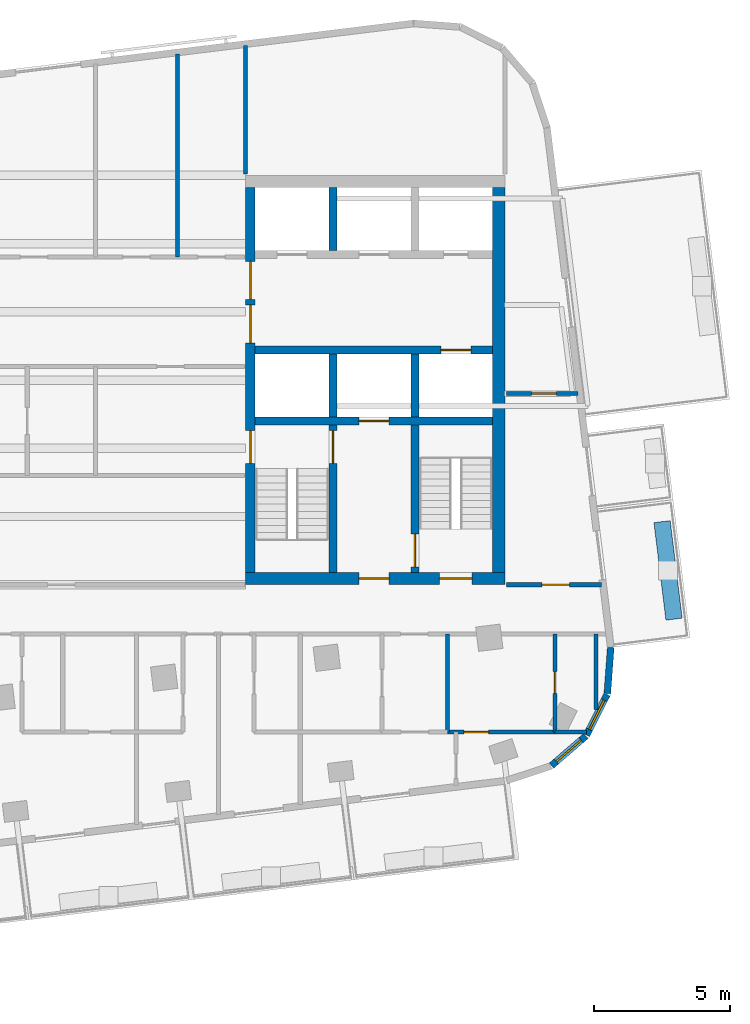
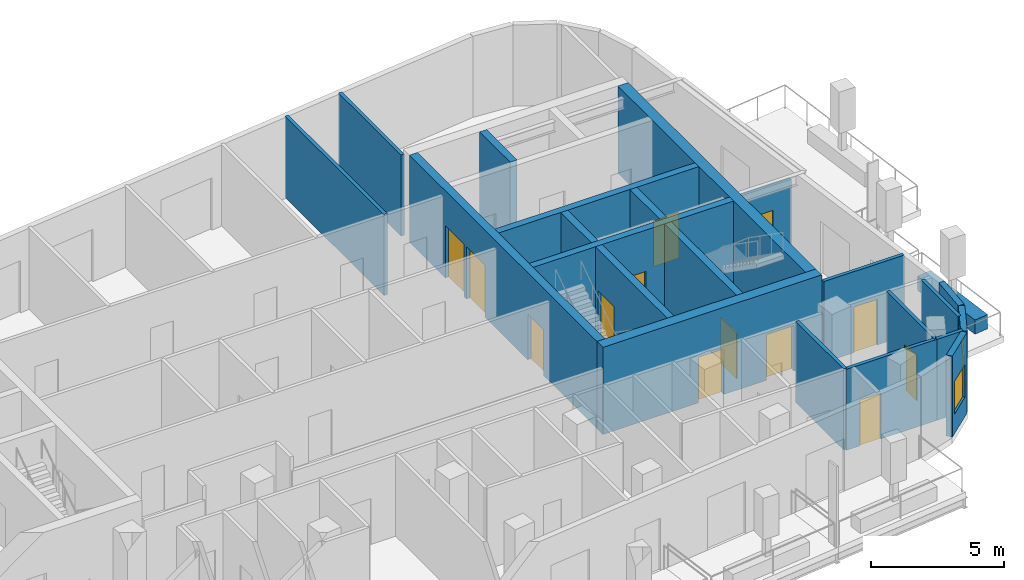
# One storey, part 6 of 11: 23 walls, 13 doors, 2 windows, 15 openings.
"""IFC4 building model written with IfcOpenShell, lengths in metres."""

from ifc_helpers import new_model, si_unit, direction, frame, frame_2d, origin, place, context, subcontext, project, spatial, rectangle, extrude, material, layer, layer_set, type_object, element, fill, save


model = new_model("IFC4")

# Units and contexts
model_context = context("Model", 3, precision=1e-05, world=origin(), true_north=direction((0.0, 1.0)))
body_context = subcontext(model_context, "Body", "Model", "MODEL_VIEW")
ifc_project = project(units=[si_unit("LENGTHUNIT", "METRE"), si_unit("AREAUNIT", "SQUARE_METRE"), si_unit("VOLUMEUNIT", "CUBIC_METRE"), si_unit("PLANEANGLEUNIT", "RADIAN"), si_unit("MASSUNIT", "GRAM", prefix="KILO")], contexts=[model_context])

# Site, building, storey
site_placement = place(None, origin())
site = spatial("IfcSite", under=ifc_project, at=site_placement, CompositionType="ELEMENT")
building_placement = place(site_placement, origin())
building = spatial("IfcBuilding", under=site, at=building_placement, Name="Torana Hotel and Residences", CompositionType="ELEMENT")
storey_placement = place(building_placement, frame((0.0, 0.0, 326.60009765625)))
storey = spatial("IfcBuildingStorey", under=building, at=storey_placement, Name="L86", CompositionType="ELEMENT", Elevation=326.60009765625)

# Wall, opening, door
ifc_material_1 = material(Name="Concrete C60/75", Category="concrete")
ifc_layer_1 = layer(ifc_material_1, 0.300048828125)
ifc_layer_set_1 = layer_set([ifc_layer_1], Name="CORE WALL 300 C60/75")
wall_type_1 = type_object("IfcWallType", Name="CORE WALL 300 C60/75", PredefinedType="SHEAR", material=ifc_layer_set_1)
wall_1_placement = place(storey_placement, frame((10.35009765625, -6.39990234375, 0.0), z_axis=(0.0, 0.0, 1.0), x_axis=(1.0, 0.0, 0.0)))
wall_1 = element("IfcWall", 1, at=wall_1_placement, inside=storey, type_object=wall_type_1, Name="Core wall E row-S", PredefinedType="SHEAR", context=body_context, shape_type="SweptSolid", body=[
    extrude(rectangle(XDim=8.699951171875, YDim=0.300048828125, at=frame_2d((4.35009765625, 0.0))), origin(), (0.0, 0.0, 1.0), 4.0),
])
opening_1_placement = place(wall_1_placement, frame((6.800048828125, 0.0, 0.0)))
opening_1 = element("IfcOpeningElement", 2, at=opening_1_placement, cuts=wall_1, Name="Opening LD", PredefinedType="OPENING", context=body_context, shape_type="SweptSolid", body=[
    extrude(rectangle(XDim=1.10009765625, YDim=2.10009765625, at=frame_2d((0.550048828125, 1.050048828125))), frame((0.0, 0.159912109375, 0.0), z_axis=(0.0, -1.0, 0.0), x_axis=(1.0, 0.0, 0.0)), (0.0, 0.0, 1.0), 0.320068359375),
])
ifc_material_2 = material(Name="Stainless steel 316", Category="steel")
door_type_1 = type_object("IfcDoorType", Name="LIFT LANDING DOOR LD 1100x2100", OperationType="DOUBLE_DOOR_SLIDING", PredefinedType="USERDEFINED", material=ifc_material_2)
door_1_placement = place(opening_1_placement, origin())
door_1 = element("IfcDoor", 3, at=door_1_placement, inside=storey, type_object=door_type_1, Name="Lift landing door SV2 L86", ObjectType="LIFT LANDING DOOR", OperationType="DOUBLE_DOOR_SLIDING", OverallHeight=2.10009765625, OverallWidth=1.10009765625, PredefinedType="USERDEFINED", context=body_context, shape_type="SweptSolid", body=[
    extrude(rectangle(XDim=1.10009765625, YDim=2.10009765625, at=frame_2d((0.550048828125, 1.050048828125))), frame((0.0, 0.02490234375, 0.0), z_axis=(0.0, -1.0, 0.0), x_axis=(1.0, 0.0, 0.0)), (0.0, 0.0, 1.0), 0.050048828125),
])
fill(opening_1, door_1)

wall_2_placement = place(storey_placement, frame((10.35009765625, -9.0, 0.0), z_axis=(0.0, 0.0, 1.0), x_axis=(1.0, 0.0, 0.0)))
wall_2 = element("IfcWall", 4, at=wall_2_placement, inside=storey, type_object=wall_type_1, Name="Core wall E band", PredefinedType="SHEAR", context=body_context, shape_type="SweptSolid", body=[
    extrude(rectangle(XDim=8.699951171875, YDim=0.300048828125, at=frame_2d((4.35009765625, 0.0))), origin(), (0.0, 0.0, 1.0), 4.0),
])
opening_2_placement = place(wall_2_placement, frame((3.800048828125, 0.0, 0.0)))
opening_2 = element("IfcOpeningElement", 5, at=opening_2_placement, cuts=wall_2, Name="Opening LD", PredefinedType="OPENING", context=body_context, shape_type="SweptSolid", body=[
    extrude(rectangle(XDim=1.10009765625, YDim=2.10009765625, at=frame_2d((0.550048828125, 1.050048828125))), frame((0.0, 0.159912109375, 0.0), z_axis=(0.0, -1.0, 0.0), x_axis=(1.0, 0.0, 0.0)), (0.0, 0.0, 1.0), 0.320068359375),
])
door_2_placement = place(opening_2_placement, origin())
door_2 = element("IfcDoor", 6, at=door_2_placement, inside=storey, type_object=door_type_1, Name="Lift landing door FF2 L86", ObjectType="LIFT LANDING DOOR", OperationType="DOUBLE_DOOR_SLIDING", OverallHeight=2.10009765625, OverallWidth=1.10009765625, PredefinedType="USERDEFINED", context=body_context, shape_type="SweptSolid", body=[
    extrude(rectangle(XDim=1.10009765625, YDim=2.10009765625, at=frame_2d((0.550048828125, 1.050048828125))), frame((0.0, 0.02490234375, 0.0), z_axis=(0.0, -1.0, 0.0), x_axis=(1.0, 0.0, 0.0)), (0.0, 0.0, 1.0), 0.050048828125),
])
fill(opening_2, door_2)

# Walls
for number, where, z_axis, x_axis, name in (
    (7, (13.199951171875, -2.75, 0.0), (0.0, 0.0, 1.0), (0.0, 1.0, 0.0), "Core wall E x3.05-N"),
    (8, (13.199951171875, -8.85009765625, 0.0), (0.0, 0.0, 1.0), (0.0, 1.0, 0.0), "Core wall E x3.05-S"),
):
    element("IfcWall", number, at=place(storey_placement, frame(where, z_axis=z_axis, x_axis=x_axis)), inside=storey, type_object=wall_type_1, Name=name, PredefinedType="SHEAR", context=body_context, shape_type="SweptSolid", body=[
        extrude(rectangle(XDim=2.300048828125, YDim=0.300048828125, at=frame_2d((1.14990234375, 0.0))), origin(), (0.0, 0.0, 1.0), 4.0),
    ])

# Wall, opening, door
wall_3_placement = place(storey_placement, frame((13.199951171875, -14.550048828125, 0.0), z_axis=(0.0, 0.0, 1.0), x_axis=(0.0, 1.0, 0.0)))
wall_3 = element("IfcWall", 9, at=wall_3_placement, inside=storey, type_object=wall_type_1, Name="Core wall E x3.05-band", PredefinedType="SHEAR", context=body_context, shape_type="SweptSolid", body=[
    extrude(rectangle(XDim=5.400146484375, YDim=0.300048828125, at=frame_2d((2.7001953125, 0.0))), origin(), (0.0, 0.0, 1.0), 4.0),
])
opening_3_placement = place(wall_3_placement, frame((4.0, 0.0, 0.0)))
opening_3 = element("IfcOpeningElement", 10, at=opening_3_placement, cuts=wall_3, Name="Opening L86-15", PredefinedType="OPENING", context=body_context, shape_type="SweptSolid", body=[
    extrude(rectangle(XDim=1.199951171875, YDim=2.10009765625, at=frame_2d((0.60009765625, 1.050048828125))), frame((0.0, 0.159912109375, 0.0), z_axis=(0.0, -1.0, 0.0), x_axis=(1.0, 0.0, 0.0)), (0.0, 0.0, 1.0), 0.320068359375),
])
ifc_material_3 = material(Name="Steel S235", Category="steel")
door_type_2 = type_object("IfcDoorType", Name="STAIR FIRE DOOR D3 1200x2100", OperationType="SINGLE_SWING_LEFT", PredefinedType="DOOR", material=ifc_material_3)
door_3_placement = place(opening_3_placement, origin())
door_3 = element("IfcDoor", 11, at=door_3_placement, inside=storey, type_object=door_type_2, Name="Stair-A-lobby door L86", OperationType="SINGLE_SWING_LEFT", OverallHeight=2.10009765625, OverallWidth=1.199951171875, PredefinedType="DOOR", context=body_context, shape_type="SweptSolid", body=[
    extrude(rectangle(XDim=1.199951171875, YDim=2.10009765625, at=frame_2d((0.60009765625, 1.050048828125))), frame((0.0, 0.02490234375, 0.0), z_axis=(0.0, -1.0, 0.0), x_axis=(1.0, 0.0, 0.0)), (0.0, 0.0, 1.0), 0.050048828125),
])
fill(opening_3, door_3)

# Wall
wall_4_placement = place(storey_placement, frame((16.199951171875, -8.85009765625, 0.0), z_axis=(0.0, 0.0, 1.0), x_axis=(0.0, 1.0, 0.0)))
element("IfcWall", 12, at=wall_4_placement, inside=storey, type_object=wall_type_1, Name="Core wall E x6.05-S", PredefinedType="SHEAR", context=body_context, shape_type="SweptSolid", body=[
    extrude(rectangle(XDim=2.300048828125, YDim=0.300048828125, at=frame_2d((1.14990234375, 0.0))), origin(), (0.0, 0.0, 1.0), 4.0),
])

# Wall, opening, door
wall_5_placement = place(storey_placement, frame((16.199951171875, -14.550048828125, 0.0), z_axis=(0.0, 0.0, 1.0), x_axis=(0.0, 1.0, 0.0)))
wall_5 = element("IfcWall", 13, at=wall_5_placement, inside=storey, type_object=wall_type_1, Name="Core wall E x6.05-band", PredefinedType="SHEAR", context=body_context, shape_type="SweptSolid", body=[
    extrude(rectangle(XDim=5.400146484375, YDim=0.300048828125, at=frame_2d((2.7001953125, 0.0))), origin(), (0.0, 0.0, 1.0), 4.0),
])
opening_4_placement = place(wall_5_placement, frame((0.199951171875, 0.0, 0.0)))
opening_4 = element("IfcOpeningElement", 14, at=opening_4_placement, cuts=wall_5, Name="Opening L86-16", PredefinedType="OPENING", context=body_context, shape_type="SweptSolid", body=[
    extrude(rectangle(XDim=1.199951171875, YDim=2.10009765625, at=frame_2d((0.60009765625, 1.050048828125))), frame((0.0, 0.159912109375, 0.0), z_axis=(0.0, -1.0, 0.0), x_axis=(1.0, 0.0, 0.0)), (0.0, 0.0, 1.0), 0.320068359375),
])
door_4_placement = place(opening_4_placement, frame((0.60009765625, 0.0, 0.0), z_axis=(0.0, 0.0, 1.0), x_axis=(-1.0, 0.0, 0.0)))
door_4 = element("IfcDoor", 15, at=door_4_placement, inside=storey, type_object=door_type_2, Name="Stair-B-lobby door L86", OperationType="SINGLE_SWING_LEFT", OverallHeight=2.10009765625, OverallWidth=1.199951171875, PredefinedType="DOOR", context=body_context, shape_type="SweptSolid", body=[
    extrude(rectangle(XDim=1.199951171875, YDim=2.10009765625, at=frame_2d((0.0, 1.050048828125))), frame((0.0, -0.02490234375, 0.0), z_axis=(0.0, 1.0, 0.0), x_axis=(-1.0, 0.0, 0.0)), (0.0, 0.0, 1.0), 0.050048828125),
])
fill(opening_4, door_4)

# Wall, openings, doors
ifc_material_4 = material(Name="Concrete C60/75", Category="concrete")
ifc_layer_2 = layer(ifc_material_4, 0.35009765625)
ifc_layer_set_2 = layer_set([ifc_layer_2], Name="CORE WALL 350 C60/75")
wall_type_2 = type_object("IfcWallType", Name="CORE WALL 350 C60/75", PredefinedType="SHEAR", material=ifc_layer_set_2)
wall_6_placement = place(storey_placement, frame((10.175048828125, -14.550048828125, 0.0), z_axis=(0.0, 0.0, 1.0), x_axis=(0.0, 1.0, 0.0)))
wall_6 = element("IfcWall", 16, at=wall_6_placement, inside=storey, type_object=wall_type_2, Name="Core wall E arch", PredefinedType="SHEAR", context=body_context, shape_type="SweptSolid", body=[
    extrude(rectangle(XDim=14.10009765625, YDim=0.35009765625, at=frame_2d((7.050048828125, 0.0))), origin(), (0.0, 0.0, 1.0), 4.0),
])
opening_5_placement = place(wall_6_placement, frame((8.39990234375, 0.0, 0.0)))
opening_5 = element("IfcOpeningElement", 17, at=opening_5_placement, cuts=wall_6, Name="Opening L86-09", PredefinedType="OPENING", context=body_context, shape_type="SweptSolid", body=[
    extrude(rectangle(XDim=1.39990234375, YDim=2.39990234375, at=frame_2d((0.699951171875, 1.199951171875))), frame((0.0, 0.18505859375, 0.0), z_axis=(0.0, -1.0, 0.0), x_axis=(1.0, 0.0, 0.0)), (0.0, 0.0, 1.0), 0.3701171875),
])
opening_6_placement = place(wall_6_placement, frame((10.0, 0.0, 0.0)))
opening_6 = element("IfcOpeningElement", 18, at=opening_6_placement, cuts=wall_6, Name="Opening L86-10", PredefinedType="OPENING", context=body_context, shape_type="SweptSolid", body=[
    extrude(rectangle(XDim=1.39990234375, YDim=2.39990234375, at=frame_2d((0.699951171875, 1.199951171875))), frame((0.0, 0.18505859375, 0.0), z_axis=(0.0, -1.0, 0.0), x_axis=(1.0, 0.0, 0.0)), (0.0, 0.0, 1.0), 0.3701171875),
])
opening_7_placement = place(wall_6_placement, frame((4.0, 0.0, 0.0)))
opening_7 = element("IfcOpeningElement", 19, at=opening_7_placement, cuts=wall_6, Name="Opening L86-11", PredefinedType="OPENING", context=body_context, shape_type="SweptSolid", body=[
    extrude(rectangle(XDim=1.199951171875, YDim=2.10009765625, at=frame_2d((0.60009765625, 1.050048828125))), frame((0.0, 0.18505859375, 0.0), z_axis=(0.0, -1.0, 0.0), x_axis=(1.0, 0.0, 0.0)), (0.0, 0.0, 1.0), 0.3701171875),
])
ifc_material_5 = material(Name="Steel S235", Category="steel")
door_type_3 = type_object("IfcDoorType", Name="LOBBY FIRE DOOR D4 1400x2400", OperationType="DOUBLE_DOOR_SINGLE_SWING", PredefinedType="DOOR", material=ifc_material_5)
door_5_placement = place(opening_5_placement, origin())
door_5 = element("IfcDoor", 20, at=door_5_placement, inside=storey, type_object=door_type_3, Name="Lobby-1 door L86", OperationType="DOUBLE_DOOR_SINGLE_SWING", OverallHeight=2.39990234375, OverallWidth=1.39990234375, PredefinedType="DOOR", context=body_context, shape_type="SweptSolid", body=[
    extrude(rectangle(XDim=1.39990234375, YDim=2.39990234375, at=frame_2d((0.699951171875, 1.199951171875))), frame((0.0, 0.02490234375, 0.0), z_axis=(0.0, -1.0, 0.0), x_axis=(1.0, 0.0, 0.0)), (0.0, 0.0, 1.0), 0.050048828125),
])
fill(opening_5, door_5)
door_6_placement = place(opening_6_placement, origin())
door_6 = element("IfcDoor", 21, at=door_6_placement, inside=storey, type_object=door_type_3, Name="Lobby-2 door L86", OperationType="DOUBLE_DOOR_SINGLE_SWING", OverallHeight=2.39990234375, OverallWidth=1.39990234375, PredefinedType="DOOR", context=body_context, shape_type="SweptSolid", body=[
    extrude(rectangle(XDim=1.39990234375, YDim=2.39990234375, at=frame_2d((0.699951171875, 1.199951171875))), frame((0.0, 0.02490234375, 0.0), z_axis=(0.0, -1.0, 0.0), x_axis=(1.0, 0.0, 0.0)), (0.0, 0.0, 1.0), 0.050048828125),
])
fill(opening_6, door_6)
door_7_placement = place(opening_7_placement, frame((0.60009765625, 0.0, 0.0), z_axis=(0.0, 0.0, 1.0), x_axis=(-1.0, 0.0, 0.0)))
door_7 = element("IfcDoor", 22, at=door_7_placement, inside=storey, type_object=door_type_2, Name="Stair-A door L86", OperationType="SINGLE_SWING_RIGHT", OverallHeight=2.10009765625, OverallWidth=1.199951171875, PredefinedType="DOOR", context=body_context, shape_type="SweptSolid", body=[
    extrude(rectangle(XDim=1.199951171875, YDim=2.10009765625, at=frame_2d((0.0, 1.050048828125))), frame((0.0, -0.02490234375, 0.0), z_axis=(0.0, 1.0, 0.0), x_axis=(-1.0, 0.0, 0.0)), (0.0, 0.0, 1.0), 0.050048828125),
])
fill(opening_7, door_7)

ifc_material_6 = material(Name="Concrete C60/75", Category="concrete")
ifc_layer_3 = layer(ifc_material_6, 0.449951171875)
ifc_layer_set_3 = layer_set([ifc_layer_3], Name="CORE WALL 450 C60/75")
wall_type_3 = type_object("IfcWallType", Name="CORE WALL 450 C60/75", PredefinedType="SHEAR", material=ifc_layer_set_3)
wall_7_placement = place(storey_placement, frame((10.0, -14.77490234375, 0.0), z_axis=(0.0, 0.0, 1.0), x_axis=(1.0, 0.0, 0.0)))
wall_7 = element("IfcWall", 23, at=wall_7_placement, inside=storey, type_object=wall_type_3, Name="Core wall E front", PredefinedType="SHEAR", context=body_context, shape_type="SweptSolid", body=[
    extrude(rectangle(XDim=9.5, YDim=0.449951171875, at=frame_2d((4.75, 0.0))), origin(), (0.0, 0.0, 1.0), 4.0),
])
opening_8_placement = place(wall_7_placement, frame((7.10009765625, 0.0, 0.0)))
opening_8 = element("IfcOpeningElement", 24, at=opening_8_placement, cuts=wall_7, Name="Opening L86-12", PredefinedType="OPENING", context=body_context, shape_type="SweptSolid", body=[
    extrude(rectangle(XDim=1.199951171875, YDim=2.10009765625, at=frame_2d((0.60009765625, 1.050048828125))), frame((0.0, 0.23486328125, 0.0), z_axis=(0.0, -1.0, 0.0), x_axis=(1.0, 0.0, 0.0)), (0.0, 0.0, 1.0), 0.469970703125),
])
opening_9_placement = place(wall_7_placement, frame((4.14990234375, 0.0, 0.0)))
opening_9 = element("IfcOpeningElement", 25, at=opening_9_placement, cuts=wall_7, Name="Opening L86-13", PredefinedType="OPENING", context=body_context, shape_type="SweptSolid", body=[
    extrude(rectangle(XDim=1.10009765625, YDim=2.10009765625, at=frame_2d((0.550048828125, 1.050048828125))), frame((0.0, 0.23486328125, 0.0), z_axis=(0.0, -1.0, 0.0), x_axis=(1.0, 0.0, 0.0)), (0.0, 0.0, 1.0), 0.469970703125),
])
ifc_material_7 = material(Name="Steel S235", Category="steel")
door_type_4 = type_object("IfcDoorType", Name="FIRE-FIGHTING LOBBY DOOR D8 1100x2100", OperationType="SINGLE_SWING_LEFT", PredefinedType="DOOR", material=ifc_material_7)
door_8_placement = place(opening_9_placement, origin())
door_8 = element("IfcDoor", 26, at=door_8_placement, inside=storey, type_object=door_type_4, Name="FF-lobby door L86", OperationType="SINGLE_SWING_RIGHT", OverallHeight=2.10009765625, OverallWidth=1.10009765625, PredefinedType="DOOR", context=body_context, shape_type="SweptSolid", body=[
    extrude(rectangle(XDim=1.10009765625, YDim=2.10009765625, at=frame_2d((0.550048828125, 1.050048828125))), frame((0.0, 0.02490234375, 0.0), z_axis=(0.0, -1.0, 0.0), x_axis=(1.0, 0.0, 0.0)), (0.0, 0.0, 1.0), 0.050048828125),
])
fill(opening_9, door_8)
door_9_placement = place(opening_8_placement, origin())
door_9 = element("IfcDoor", 27, at=door_9_placement, inside=storey, type_object=door_type_2, Name="Stair-B door L86", OperationType="SINGLE_SWING_RIGHT", OverallHeight=2.10009765625, OverallWidth=1.199951171875, PredefinedType="DOOR", context=body_context, shape_type="SweptSolid", body=[
    extrude(rectangle(XDim=1.199951171875, YDim=2.10009765625, at=frame_2d((0.60009765625, 1.050048828125))), frame((0.0, 0.02490234375, 0.0), z_axis=(0.0, -1.0, 0.0), x_axis=(1.0, 0.0, 0.0)), (0.0, 0.0, 1.0), 0.050048828125),
])
fill(opening_8, door_9)

# Wall
wall_8_placement = place(storey_placement, frame((19.27490234375, -14.550048828125, 0.0), z_axis=(0.0, 0.0, 1.0), x_axis=(0.0, 1.0, 0.0)))
element("IfcWall", 28, at=wall_8_placement, inside=storey, type_object=wall_type_3, Name="Core wall E outer", PredefinedType="SHEAR", context=body_context, shape_type="SweptSolid", body=[
    extrude(rectangle(XDim=14.10009765625, YDim=0.449951171875, at=frame_2d((7.050048828125, 0.0))), origin(), (0.0, 0.0, 1.0), 4.0),
])

# Wall, opening, window
ifc_material_8 = material(Name="Black aluminium composite panel", Category="aluminium")
ifc_layer_4 = layer(ifc_material_8, 0.00390625, Name="Cladding", Category="cladding")
ifc_material_9 = material(Name="Ventilated air cavity")
ifc_layer_5 = layer(ifc_material_9, 0.0400390625, Name="Ventilated cavity", Category="cavity")
ifc_material_10 = material(Name="Mineral wool insulation")
ifc_layer_6 = layer(ifc_material_10, 0.090087890625, Name="Insulation", Category="insulation")
ifc_material_11 = material(Name="Steel S280GD", Category="steel")
ifc_layer_7 = layer(ifc_material_11, 0.092041015625, Name="Steel stud frame", Category="structure")
ifc_material_12 = material(Name="Fire rated plasterboard")
ifc_layer_8 = layer(ifc_material_12, 0.011962890625, Name="Inner board", Category="finish")
ifc_layer_9 = layer(ifc_material_12, 0.011962890625, Name="Second board", Category="finish")
ifc_layer_set_4 = layer_set([ifc_layer_4, ifc_layer_5, ifc_layer_6, ifc_layer_7, ifc_layer_8, ifc_layer_9], Name="EW1 EXTERNAL WALL BLACK METAL CLAD 250")
wall_type_4 = type_object("IfcWallType", Name="EW1 EXTERNAL WALL BLACK METAL CLAD 250", PredefinedType="SOLIDWALL", material=ifc_layer_set_4)
wall_9_placement = place(storey_placement, frame((21.207763671875, -21.624267578125, 0.0), z_axis=(0.0, 0.0, 1.0), x_axis=(0.757568315466, 0.652755886531, 0.0)))
wall_9 = element("IfcWall", 29, at=wall_9_placement, inside=storey, type_object=wall_type_4, Name="External wall L86 e0.16", PredefinedType="SOLIDWALL", context=body_context, shape_type="SweptSolid", body=[
    extrude(rectangle(XDim=1.65625, YDim=0.25, at=frame_2d((0.828125, 0.0))), origin(), (0.0, 0.0, 1.0), 3.719970703125),
])
opening_10_placement = place(wall_9_placement, frame((0.228271484375, 0.0, 0.89990234375)))
opening_10 = element("IfcOpeningElement", 30, at=opening_10_placement, cuts=wall_9, Name="Opening W5", PredefinedType="OPENING", context=body_context, shape_type="SweptSolid", body=[
    extrude(rectangle(XDim=1.199951171875, YDim=1.5, at=frame_2d((0.60009765625, 0.75))), frame((0.0, 0.135009765625, 0.0), z_axis=(0.0, -1.0, 0.0), x_axis=(1.0, 0.0, 0.0)), (0.0, 0.0, 1.0), 0.27001953125),
])
ifc_material_13 = material(Name="Dark glass in black aluminium frame", Category="aluminium")
window_type = type_object("IfcWindowType", Name="W5 CORNER FACET WINDOW 1200x1500", PartitioningType="SINGLE_PANEL", PredefinedType="WINDOW", material=ifc_material_13)
window_1_placement = place(opening_10_placement, origin())
window_1 = element("IfcWindow", 31, at=window_1_placement, inside=storey, type_object=window_type, Name="Window L86 e0.16", OverallHeight=1.5, OverallWidth=1.199951171875, PartitioningType="SINGLE_PANEL", PredefinedType="WINDOW", context=body_context, shape_type="SweptSolid", body=[
    extrude(rectangle(XDim=1.199951171875, YDim=1.5, at=frame_2d((0.60009765625, 0.75))), frame((0.0, 0.030029296875, 0.0), z_axis=(0.0, -1.0, 0.0), x_axis=(1.0, 0.0, 0.0)), (0.0, 0.0, 1.0), 0.06005859375),
])
fill(opening_10, window_1)

wall_10_placement = place(storey_placement, frame((22.49267578125, -20.504638671875, 0.0), z_axis=(0.0, 0.0, 1.0), x_axis=(0.449982385812, 0.893037430604, 0.0)))
wall_10 = element("IfcWall", 32, at=wall_10_placement, inside=storey, type_object=wall_type_4, Name="External wall L86 e0.17", PredefinedType="SOLIDWALL", context=body_context, shape_type="SweptSolid", body=[
    extrude(rectangle(XDim=1.656494140625, YDim=0.25, at=frame_2d((0.828125, 0.0))), origin(), (0.0, 0.0, 1.0), 3.719970703125),
])
opening_11_placement = place(wall_10_placement, frame((0.228271484375, 0.0, 0.89990234375)))
opening_11 = element("IfcOpeningElement", 33, at=opening_11_placement, cuts=wall_10, Name="Opening W5", PredefinedType="OPENING", context=body_context, shape_type="SweptSolid", body=[
    extrude(rectangle(XDim=1.199951171875, YDim=1.5, at=frame_2d((0.60009765625, 0.75))), frame((0.0, 0.135009765625, 0.0), z_axis=(0.0, -1.0, 0.0), x_axis=(1.0, 0.0, 0.0)), (0.0, 0.0, 1.0), 0.27001953125),
])
window_2_placement = place(opening_11_placement, origin())
window_2 = element("IfcWindow", 34, at=window_2_placement, inside=storey, type_object=window_type, Name="Window L86 e0.17", OverallHeight=1.5, OverallWidth=1.199951171875, PartitioningType="SINGLE_PANEL", PredefinedType="WINDOW", context=body_context, shape_type="SweptSolid", body=[
    extrude(rectangle(XDim=1.199951171875, YDim=1.5, at=frame_2d((0.60009765625, 0.75))), frame((0.0, 0.030029296875, 0.0), z_axis=(0.0, -1.0, 0.0), x_axis=(1.0, 0.0, 0.0)), (0.0, 0.0, 1.0), 0.06005859375),
])
fill(opening_11, window_2)

# Walls
wall_11_placement = place(storey_placement, frame((23.251220703125, -18.978515625, 0.0), z_axis=(0.0, 0.0, 1.0), x_axis=(0.074053534713, 0.997254267475, 0.0)))
element("IfcWall", 35, at=wall_11_placement, inside=storey, type_object=wall_type_4, Name="External wall L86 e0.18", PredefinedType="SOLIDWALL", context=body_context, shape_type="SweptSolid", body=[
    extrude(rectangle(XDim=1.681396484375, YDim=0.25, at=frame_2d((0.8408203125, 0.0))), origin(), (0.0, 0.0, 1.0), 3.719970703125),
])
ifc_material_14 = material(Name="Gypsum plaster")
ifc_layer_10 = layer(ifc_material_14, 0.014892578125, Name="Plaster", Category="finish")
ifc_material_15 = material(Name="Concrete blockwork", Category="masonry")
ifc_layer_11 = layer(ifc_material_15, 0.1201171875, Name="Blockwork", Category="structure")
ifc_layer_12 = layer(ifc_material_14, 0.014892578125, Name="Plaster", Category="finish")
ifc_layer_set_5 = layer_set([ifc_layer_10, ifc_layer_11, ifc_layer_12], Name="FIRE PARTITION 150 BLOCKWORK")
wall_type_5 = type_object("IfcWallType", Name="FIRE PARTITION 150 BLOCKWORK", PredefinedType="PARTITIONING", material=ifc_layer_set_5)
wall_12_placement = place(storey_placement, frame((17.39990234375, -20.39990234375, 0.0), z_axis=(0.0, 0.0, 1.0), x_axis=(0.0, 1.0, 0.0)))
element("IfcWall", 36, at=wall_12_placement, inside=storey, type_object=wall_type_5, Name="Partition L86", PredefinedType="PARTITIONING", context=body_context, shape_type="SweptSolid", body=[
    extrude(rectangle(XDim=3.599853515625, YDim=0.14990234375, at=frame_2d((1.7998046875, 0.0))), origin(), (0.0, 0.0, 1.0), 3.719970703125),
])

# Wall, opening, door
wall_13_placement = place(storey_placement, frame((19.550048828125, -15.0, 0.0), z_axis=(0.0, 0.0, 1.0), x_axis=(1.0, 0.0, 0.0)))
wall_13 = element("IfcWall", 37, at=wall_13_placement, inside=storey, type_object=wall_type_5, Name="Partition L86", PredefinedType="PARTITIONING", context=body_context, shape_type="SweptSolid", body=[
    extrude(rectangle(XDim=3.489990234375, YDim=0.14990234375, at=frame_2d((1.7451171875, 0.0))), origin(), (0.0, 0.0, 1.0), 3.719970703125),
])
opening_12_placement = place(wall_13_placement, frame((1.31103515625, 0.0, 0.0)))
opening_12 = element("IfcOpeningElement", 38, at=opening_12_placement, cuts=wall_13, Name="Opening L86-26", PredefinedType="OPENING", context=body_context, shape_type="SweptSolid", body=[
    extrude(rectangle(XDim=1.0, YDim=2.10009765625, at=frame_2d((0.5, 1.050048828125))), frame((0.0, 0.0849609375, 0.0), z_axis=(0.0, -1.0, 0.0), x_axis=(1.0, 0.0, 0.0)), (0.0, 0.0, 1.0), 0.169921875),
])
ifc_material_16 = material(Name="Steel S235", Category="steel")
door_type_5 = type_object("IfcDoorType", Name="CORE ROOM FIRE DOOR D14 1000x2100", OperationType="SINGLE_SWING_LEFT", PredefinedType="DOOR", material=ifc_material_16)
door_10_placement = place(opening_12_placement, origin())
door_10 = element("IfcDoor", 39, at=door_10_placement, inside=storey, type_object=door_type_5, Name="Door L86", OperationType="SINGLE_SWING_LEFT", OverallHeight=2.10009765625, OverallWidth=1.0, PredefinedType="DOOR", context=body_context, shape_type="SweptSolid", body=[
    extrude(rectangle(XDim=1.0, YDim=2.10009765625, at=frame_2d((0.5, 1.050048828125))), frame((0.0, 0.02490234375, 0.0), z_axis=(0.0, -1.0, 0.0), x_axis=(1.0, 0.0, 0.0)), (0.0, 0.0, 1.0), 0.050048828125),
])
fill(opening_12, door_10)

ifc_material_17 = material(Name="Gypsum plasterboard")
ifc_layer_13 = layer(ifc_material_17, 0.012451171875, Name="Plasterboard", Category="finish")
ifc_layer_14 = layer(ifc_material_17, 0.012451171875, Name="Plasterboard", Category="finish")
ifc_layer_15 = layer(ifc_material_11, 0.10009765625, Name="Steel studs with mineral wool", Category="insulation")
ifc_layer_16 = layer(ifc_material_17, 0.012451171875, Name="Plasterboard", Category="finish")
ifc_layer_17 = layer(ifc_material_17, 0.012451171875, Name="Plasterboard", Category="finish")
ifc_layer_set_6 = layer_set([ifc_layer_13, ifc_layer_14, ifc_layer_15, ifc_layer_16, ifc_layer_17], Name="PARTITION 150 PLASTERBOARD")
wall_type_6 = type_object("IfcWallType", Name="PARTITION 150 PLASTERBOARD", PredefinedType="PARTITIONING", material=ifc_layer_set_6)
wall_14_placement = place(storey_placement, frame((17.39990234375, -20.39990234375, 0.0), z_axis=(0.0, 0.0, 1.0), x_axis=(1.0, 0.0, 0.0)))
wall_14 = element("IfcWall", 40, at=wall_14_placement, inside=storey, type_object=wall_type_6, Name="Partition L86", PredefinedType="PARTITIONING", context=body_context, shape_type="SweptSolid", body=[
    extrude(rectangle(XDim=3.93603515625, YDim=0.14990234375, at=frame_2d((1.968017578125, 0.0))), origin(), (0.0, 0.0, 1.0), 3.719970703125),
])
opening_13_placement = place(wall_14_placement, frame((0.60009765625, 0.0, 0.0)))
opening_13 = element("IfcOpeningElement", 41, at=opening_13_placement, cuts=wall_14, Name="Opening L86-52", PredefinedType="OPENING", context=body_context, shape_type="SweptSolid", body=[
    extrude(rectangle(XDim=0.89990234375, YDim=2.10009765625, at=frame_2d((0.449951171875, 1.050048828125))), frame((0.0, 0.0849609375, 0.0), z_axis=(0.0, -1.0, 0.0), x_axis=(1.0, 0.0, 0.0)), (0.0, 0.0, 1.0), 0.169921875),
])
ifc_material_18 = material(Name="Timber door, oiled ash", Category="wood")
door_type_6 = type_object("IfcDoorType", Name="ROOM DOOR D7 900x2100", OperationType="SINGLE_SWING_LEFT", PredefinedType="DOOR", material=ifc_material_18)
door_11_placement = place(opening_13_placement, origin())
door_11 = element("IfcDoor", 42, at=door_11_placement, inside=storey, type_object=door_type_6, Name="Door L86", OperationType="SINGLE_SWING_RIGHT", OverallHeight=2.10009765625, OverallWidth=0.89990234375, PredefinedType="DOOR", context=body_context, shape_type="SweptSolid", body=[
    extrude(rectangle(XDim=0.89990234375, YDim=2.10009765625, at=frame_2d((0.449951171875, 1.050048828125))), frame((0.0, 0.02490234375, 0.0), z_axis=(0.0, -1.0, 0.0), x_axis=(1.0, 0.0, 0.0)), (0.0, 0.0, 1.0), 0.050048828125),
])
fill(opening_13, door_11)

wall_15_placement = place(storey_placement, frame((19.550048828125, -8.0, 0.0), z_axis=(0.0, 0.0, 1.0), x_axis=(1.0, 0.0, 0.0)))
wall_15 = element("IfcWall", 43, at=wall_15_placement, inside=storey, type_object=wall_type_6, Name="Partition L86", PredefinedType="PARTITIONING", context=body_context, shape_type="SweptSolid", body=[
    extrude(rectangle(XDim=2.630615234375, YDim=0.14990234375, at=frame_2d((1.3154296875, 0.0))), origin(), (0.0, 0.0, 1.0), 3.2529296875),
])
opening_14_placement = place(wall_15_placement, frame((0.930908203125, 0.0, 0.0)))
opening_14 = element("IfcOpeningElement", 44, at=opening_14_placement, cuts=wall_15, Name="Opening L86-55", PredefinedType="OPENING", context=body_context, shape_type="SweptSolid", body=[
    extrude(rectangle(XDim=0.89990234375, YDim=2.10009765625, at=frame_2d((0.449951171875, 1.050048828125))), frame((0.0, 0.0849609375, 0.0), z_axis=(0.0, -1.0, 0.0), x_axis=(1.0, 0.0, 0.0)), (0.0, 0.0, 1.0), 0.169921875),
])
door_12_placement = place(opening_14_placement, origin())
door_12 = element("IfcDoor", 45, at=door_12_placement, inside=storey, type_object=door_type_6, Name="Door L86", OperationType="SINGLE_SWING_LEFT", OverallHeight=2.10009765625, OverallWidth=0.89990234375, PredefinedType="DOOR", context=body_context, shape_type="SweptSolid", body=[
    extrude(rectangle(XDim=0.89990234375, YDim=2.10009765625, at=frame_2d((0.449951171875, 1.050048828125))), frame((0.0, 0.02490234375, 0.0), z_axis=(0.0, -1.0, 0.0), x_axis=(1.0, 0.0, 0.0)), (0.0, 0.0, 1.0), 0.050048828125),
])
fill(opening_14, door_12)

# Walls
ifc_material_19 = material(Name="Concrete C40/50 precast", Category="concrete")
ifc_layer_18 = layer(ifc_material_19, 0.10009765625, Name="Planter shell", Category="structure")
ifc_material_20 = material(Name="Root resistant membrane")
ifc_layer_19 = layer(ifc_material_20, 0.00390625, Name="Waterproofing membrane", Category="membrane")
ifc_material_21 = material(Name="Drainage board with filter fleece")
ifc_layer_20 = layer(ifc_material_21, 0.02001953125, Name="Drainage board", Category="drainage")
ifc_material_22 = material(Name="Growing medium")
ifc_layer_21 = layer(ifc_material_22, 0.47607421875, Name="Planting substrate", Category="soil")
ifc_layer_set_7 = layer_set([ifc_layer_18, ifc_layer_19, ifc_layer_20, ifc_layer_21], Name="PL1 BALCONY PLANTER 600")
wall_type_7 = type_object("IfcWallType", Name="PL1 BALCONY PLANTER 600", PredefinedType="USERDEFINED", material=ifc_layer_set_7)
wall_16_placement = place(storey_placement, frame((25.2548828125, -12.6884765625, 0.0), z_axis=(0.0, 0.0, 1.0), x_axis=(0.121864343918, -0.992546765488, 0.0)))
element("IfcWall", 46, at=wall_16_placement, inside=storey, type_object=wall_type_7, Name="Planter 10", ObjectType="PLANTER", PredefinedType="USERDEFINED", context=body_context, shape_type="SweptSolid", body=[
    extrude(rectangle(XDim=3.60009765625, YDim=0.60009765625, at=frame_2d((1.800048828125, 0.0))), origin(), (0.0, 0.0, 1.0), 0.64990234375),
])
ifc_material_23 = material(Name="Ceramic tile on adhesive")
ifc_layer_22 = layer(ifc_material_23, 0.010009765625, Name="Wall tile", Category="finish")
ifc_material_24 = material(Name="Cement render")
ifc_layer_23 = layer(ifc_material_24, 0.010009765625, Name="Render", Category="finish")
ifc_layer_24 = layer(ifc_material_15, 0.110107421875, Name="Blockwork", Category="structure")
ifc_layer_25 = layer(ifc_material_24, 0.010009765625, Name="Render", Category="finish")
ifc_layer_26 = layer(ifc_material_23, 0.010009765625, Name="Wall tile", Category="finish")
ifc_layer_set_8 = layer_set([ifc_layer_22, ifc_layer_23, ifc_layer_24, ifc_layer_25, ifc_layer_26], Name="WC PARTITION 150")
wall_type_8 = type_object("IfcWallType", Name="WC PARTITION 150", PredefinedType="PLUMBINGWALL", material=ifc_layer_set_8)
wall_17_placement = place(storey_placement, frame((22.8359375, -19.56787109375, 0.0), z_axis=(0.0, 0.0, 1.0), x_axis=(0.0, 1.0, 0.0)))
element("IfcWall", 47, at=wall_17_placement, inside=storey, type_object=wall_type_8, Name="Partition L86", PredefinedType="PLUMBINGWALL", context=body_context, shape_type="SweptSolid", body=[
    extrude(rectangle(XDim=2.767822265625, YDim=0.14990234375, at=frame_2d((1.3837890625, 0.0))), origin(), (0.0, 0.0, 1.0), 3.719970703125),
])

# Wall, opening, door
wall_18_placement = place(storey_placement, frame((21.3359375, -20.39990234375, 0.0), z_axis=(0.0, 0.0, 1.0), x_axis=(0.0, 1.0, 0.0)))
wall_18 = element("IfcWall", 48, at=wall_18_placement, inside=storey, type_object=wall_type_8, Name="Partition L86", PredefinedType="PLUMBINGWALL", context=body_context, shape_type="SweptSolid", body=[
    extrude(rectangle(XDim=3.599853515625, YDim=0.14990234375, at=frame_2d((1.7998046875, 0.0))), origin(), (0.0, 0.0, 1.0), 3.719970703125),
])
opening_15_placement = place(wall_18_placement, frame((1.419921875, 0.0, 0.0)))
opening_15 = element("IfcOpeningElement", 49, at=opening_15_placement, cuts=wall_18, Name="Opening L86-53", PredefinedType="OPENING", context=body_context, shape_type="SweptSolid", body=[
    extrude(rectangle(XDim=0.800048828125, YDim=2.10009765625, at=frame_2d((0.39990234375, 1.050048828125))), frame((0.0, 0.0849609375, 0.0), z_axis=(0.0, -1.0, 0.0), x_axis=(1.0, 0.0, 0.0)), (0.0, 0.0, 1.0), 0.169921875),
])
ifc_material_25 = material(Name="Timber door, painted", Category="wood")
door_type_7 = type_object("IfcDoorType", Name="BATH DOOR D13 800x2100", OperationType="SINGLE_SWING_LEFT", PredefinedType="DOOR", material=ifc_material_25)
door_13_placement = place(opening_15_placement, origin())
door_13 = element("IfcDoor", 50, at=door_13_placement, inside=storey, type_object=door_type_7, Name="Door L86", OperationType="SINGLE_SWING_RIGHT", OverallHeight=2.10009765625, OverallWidth=0.800048828125, PredefinedType="DOOR", context=body_context, shape_type="SweptSolid", body=[
    extrude(rectangle(XDim=0.800048828125, YDim=2.10009765625, at=frame_2d((0.39990234375, 1.050048828125))), frame((0.0, 0.02490234375, 0.0), z_axis=(0.0, -1.0, 0.0), x_axis=(1.0, 0.0, 0.0)), (0.0, 0.0, 1.0), 0.050048828125),
])
fill(opening_15, door_13)

# Walls
wall_19_placement = place(storey_placement, frame((10.0, 0.050048828125, 0.0), z_axis=(0.0, 0.0, 1.0), x_axis=(0.0, 1.0, 0.0)))
element("IfcWall", 51, at=wall_19_placement, inside=storey, type_object=wall_type_8, Name="Partition L86", PredefinedType="PLUMBINGWALL", context=body_context, shape_type="SweptSolid", body=[
    extrude(rectangle(XDim=4.7021484375, YDim=0.14990234375, at=frame_2d((2.35107421875, 0.0))), origin(), (0.0, 0.0, 1.0), 3.719970703125),
])
wall_20_placement = place(storey_placement, frame((7.5, -3.0, 0.0), z_axis=(0.0, 0.0, 1.0), x_axis=(0.0, 1.0, 0.0)))
element("IfcWall", 52, at=wall_20_placement, inside=storey, type_object=wall_type_8, Name="Partition L86", PredefinedType="PLUMBINGWALL", context=body_context, shape_type="SweptSolid", body=[
    extrude(rectangle(XDim=7.4453125, YDim=0.14990234375, at=frame_2d((3.72265625, 0.0))), origin(), (0.0, 0.0, 1.0), 3.719970703125),
])
wall_21_placement = place(storey_placement, frame((21.3359375, -20.39990234375, 0.0), z_axis=(0.0, 0.0, 1.0), x_axis=(1.0, 0.0, 0.0)))
element("IfcWall", 53, at=wall_21_placement, inside=storey, type_object=wall_type_8, Name="Partition L86", PredefinedType="PLUMBINGWALL", context=body_context, shape_type="SweptSolid", body=[
    extrude(rectangle(XDim=1.147705078125, YDim=0.14990234375, at=frame_2d((0.57373046875, 0.0))), origin(), (0.0, 0.0, 1.0), 3.719970703125),
])

save(model, "model.ifc")
